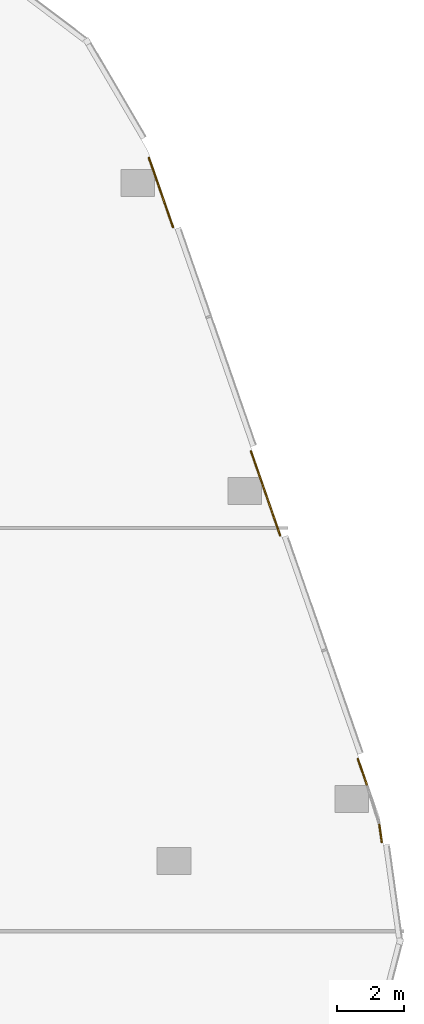
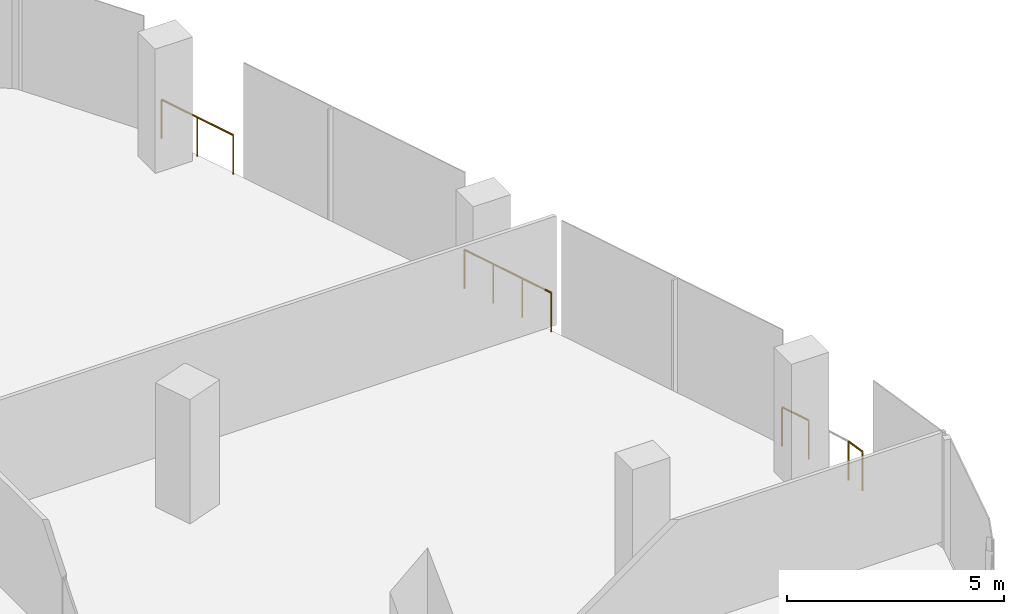
# One storey, part 25 of 26: 4 railings.
"""IFC4 building model written with IfcOpenShell, lengths in metres."""

from ifc_helpers import new_model, si_unit, direction, frame, origin, origin_2d, place, context, subcontext, project, spatial, circle, extrude, material, type_object, element, save


model = new_model("IFC4")

# Units and contexts
model_context = context("Model", 3, precision=1e-05, world=origin(), true_north=direction((0.0, 1.0)))
body_context = subcontext(model_context, "Body", "Model", "MODEL_VIEW")
ifc_project = project(units=[si_unit("LENGTHUNIT", "METRE"), si_unit("AREAUNIT", "SQUARE_METRE"), si_unit("VOLUMEUNIT", "CUBIC_METRE"), si_unit("PLANEANGLEUNIT", "RADIAN"), si_unit("MASSUNIT", "GRAM", prefix="KILO")], contexts=[model_context])

# Site, building, storey
site_placement = place(None, origin())
site = spatial("IfcSite", under=ifc_project, at=site_placement, CompositionType="ELEMENT")
building_placement = place(site_placement, origin())
building = spatial("IfcBuilding", under=site, at=building_placement, Name="Orlundy Tower", CompositionType="ELEMENT")
storey_placement = place(building_placement, frame((0.0, 0.0, 232.0)))
storey = spatial("IfcBuildingStorey", under=building, at=storey_placement, Name="L61", CompositionType="ELEMENT", Elevation=232.0)

# Railings
ifc_material = material(Name="Stainless steel bronze finish", Category="steel")
railing_type = type_object("IfcRailingType", Name="TG1 terrace guard", PredefinedType="GUARDRAIL", material=ifc_material)
railing_1_placement = place(storey_placement, frame((37.869140625, 14.28564453125, 0.0)))
element("IfcRailing", 1, at=railing_1_placement, inside=storey, type_object=railing_type, Name="Guard TG-L61-E05", PredefinedType="GUARDRAIL", context=body_context, shape_type="SweptSolid", body=[
    extrude(circle(Radius=0.02490234375, at=origin_2d()), frame((0.0, 0.0, 1.09521484375), z_axis=(0.328270681396, -0.944583696523, 0.0), x_axis=(0.944583696523, 0.328270681396, 0.0)), (0.0, 0.0, 1.0), 2.652099609375),
    extrude(circle(Radius=0.02001953125, at=origin_2d()), origin(), (0.0, 0.0, 1.0), 1.070068359375),
    extrude(circle(Radius=0.02001953125, at=origin_2d()), frame((0.290283203125, -0.8349609375, 0.0)), (0.0, 0.0, 1.0), 1.070068359375),
    extrude(circle(Radius=0.02001953125, at=origin_2d()), frame((0.580322265625, -1.670166015625, 0.0)), (0.0, 0.0, 1.0), 1.070068359375),
    extrude(circle(Radius=0.02001953125, at=origin_2d()), frame((0.87060546875, -2.505126953125, 0.0)), (0.0, 0.0, 1.0), 1.070068359375),
])
railing_2_placement = place(storey_placement, frame((34.8359375, 23.012939453125, 0.0)))
element("IfcRailing", 2, at=railing_2_placement, inside=storey, type_object=railing_type, Name="Guard TG-L61-E014", PredefinedType="GUARDRAIL", context=body_context, shape_type="SweptSolid", body=[
    extrude(circle(Radius=0.02490234375, at=origin_2d()), frame((0.0, 0.0, 1.09521484375), z_axis=(0.328256540717, -0.944588610707, 0.0), x_axis=(0.944588610707, 0.328256540717, 0.0)), (0.0, 0.0, 1.0), 2.187255859375),
    extrude(circle(Radius=0.02001953125, at=origin_2d()), origin(), (0.0, 0.0, 1.0), 1.070068359375),
    extrude(circle(Radius=0.02001953125, at=origin_2d()), frame((0.35888671875, -1.033203125, 0.0)), (0.0, 0.0, 1.0), 1.070068359375),
    extrude(circle(Radius=0.02001953125, at=origin_2d()), frame((0.718017578125, -2.066162109375, 0.0)), (0.0, 0.0, 1.0), 1.070068359375),
])
railing_3_placement = place(storey_placement, frame((41.0498046875, 5.1337890625, 0.0)))
element("IfcRailing", 3, at=railing_3_placement, inside=storey, type_object=railing_type, Name="Guard TG-L61-E023", PredefinedType="GUARDRAIL", context=body_context, shape_type="SweptSolid", body=[
    extrude(circle(Radius=0.02490234375, at=origin_2d()), frame((0.0, 0.0, 1.09521484375), z_axis=(0.328216952568, -0.944602367161, 0.0), x_axis=(0.944602367161, 0.328216952568, 0.0)), (0.0, 0.0, 1.0), 0.810791015625),
    extrude(circle(Radius=0.02001953125, at=origin_2d()), origin(), (0.0, 0.0, 1.0), 1.070068359375),
    extrude(circle(Radius=0.02001953125, at=origin_2d()), frame((0.26611328125, -0.765869140625, 0.0)), (0.0, 0.0, 1.0), 1.070068359375),
])
railing_4_placement = place(storey_placement, frame((41.68994140625, 3.17529296875, 0.0)))
element("IfcRailing", 4, at=railing_4_placement, inside=storey, type_object=railing_type, Name="Guard TG-L61-E025", PredefinedType="GUARDRAIL", context=body_context, shape_type="SweptSolid", body=[
    extrude(circle(Radius=0.02490234375, at=origin_2d()), frame((0.0, 0.0, 1.09521484375), z_axis=(0.137720012371, -0.990471200082, 0.0), x_axis=(0.990471200082, 0.137720012371, 0.0)), (0.0, 0.0, 1.0), 0.526611328125),
    extrude(circle(Radius=0.02001953125, at=origin_2d()), origin(), (0.0, 0.0, 1.0), 1.070068359375),
    extrude(circle(Radius=0.02001953125, at=origin_2d()), frame((0.072509765625, -0.521484375, 0.0)), (0.0, 0.0, 1.0), 1.070068359375),
])

save(model, "model.ifc")
